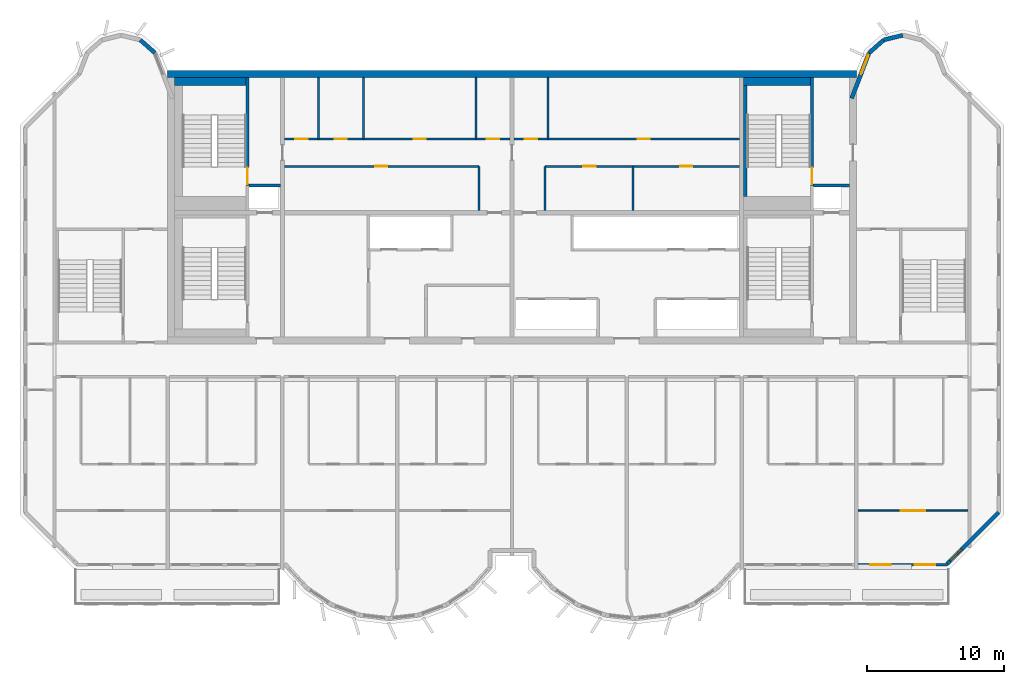
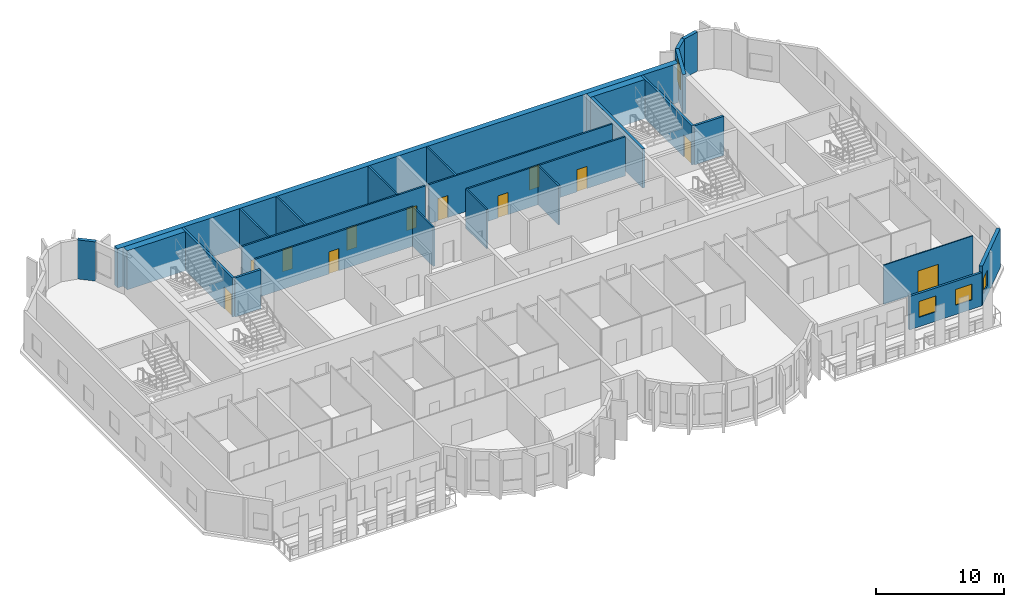
# One storey, part 7 of 12: 26 walls, 12 doors, 4 windows, 16 openings.
"""IFC4 building model written with IfcOpenShell, lengths in metres."""

from ifc_helpers import new_model, si_unit, direction, frame, frame_2d, origin, place, context, subcontext, project, spatial, rectangle, extrude, source, transform, mapped, material, layer, layer_set, type_object, element, fill, save


model = new_model("IFC4")

# Units and contexts
model_context = context("Model", 3, precision=1e-05, world=origin(), true_north=direction((0.0, 1.0)))
body_context = subcontext(model_context, "Body", "Model", "MODEL_VIEW")
ifc_project = project(units=[si_unit("LENGTHUNIT", "METRE"), si_unit("AREAUNIT", "SQUARE_METRE"), si_unit("VOLUMEUNIT", "CUBIC_METRE"), si_unit("PLANEANGLEUNIT", "RADIAN"), si_unit("MASSUNIT", "GRAM", prefix="KILO")], contexts=[model_context])

# Site, building, storey
site_placement = place(None, origin())
site = spatial("IfcSite", under=ifc_project, at=site_placement, CompositionType="ELEMENT")
building_placement = place(site_placement, origin())
building = spatial("IfcBuilding", under=site, at=building_placement, Name="Vanashikhar Sky Hotel", CompositionType="ELEMENT")
storey_placement = place(building_placement, frame((0.0, 0.0, 281.699951171875)))
storey = spatial("IfcBuildingStorey", under=building, at=storey_placement, Name="L67", CompositionType="ELEMENT", Elevation=281.699951171875)

# Wall
ifc_material_1 = material(Name="Concrete M50", Category="concrete")
ifc_layer_1 = layer(ifc_material_1, 0.5)
ifc_layer_set_1 = layer_set([ifc_layer_1], Name="RC core shell wall 500 Concrete M50")
wall_type_1 = type_object("IfcWallType", Name="RC core shell wall 500 Concrete M50", PredefinedType="SHEAR", material=ifc_layer_set_1)
shared_shape_1 = source(origin(), body_context, "Body", "SweptSolid", [
    extrude(rectangle(XDim=50.400146484375, YDim=0.5, at=frame_2d((25.2001953125, 0.0))), origin(), (0.0, 0.0, 1.0), 3.719970703125),
])
wall_1_placement = place(storey_placement, frame((25.199951171875, 41.75, 0.0), z_axis=(0.0, 0.0, 1.0), x_axis=(1.0, 0.0, 0.0)))
element("IfcWall", 1, at=wall_1_placement, inside=storey, type_object=wall_type_1, Name="KW-L67-KN", PredefinedType="SHEAR", context=body_context, shape_type="MappedRepresentation", body=[
    mapped(shared_shape_1, transform((0.0, 0.0, 0.0), scale=1.0)),
])

# Wall, openings, windows
ifc_layer_2 = layer(ifc_material_1, 0.199951171875)
ifc_layer_set_2 = layer_set([ifc_layer_2], Name="Front window wall 200")
wall_type_2 = type_object("IfcWallType", Name="Front window wall 200", PredefinedType="SOLIDWALL", material=ifc_layer_set_2)
shared_shape_2 = source(origin(), body_context, "Body", "SweptSolid", [
    extrude(rectangle(XDim=6.52978515625, YDim=0.199951171875, at=frame_2d((3.264892578125, 0.0))), origin(), (0.0, 0.0, 1.0), 3.170166015625),
])
wall_2_placement = place(storey_placement, frame((75.72509765625, 5.85009765625, 0.0), z_axis=(0.0, 0.0, 1.0), x_axis=(1.0, 0.0, 0.0)))
wall_2 = element("IfcWall", 2, at=wall_2_placement, inside=storey, type_object=wall_type_2, Name="Front window wall", PredefinedType="SOLIDWALL", context=body_context, shape_type="MappedRepresentation", body=[
    mapped(shared_shape_2, transform((0.0, 0.0, 0.0), scale=1.0)),
])
shared_shape_3 = source(origin(), body_context, "Body", "SweptSolid", [
    extrude(rectangle(XDim=1.5, YDim=1.5, at=frame_2d((0.75, 0.75))), frame((0.0, 0.10986328125, 0.0), z_axis=(0.0, -1.0, 0.0), x_axis=(1.0, 0.0, 0.0)), (0.0, 0.0, 1.0), 0.219970703125),
])
opening_1_placement = place(wall_2_placement, frame((0.882568359375, 0.0, 0.89990234375)))
opening_1 = element("IfcOpeningElement", 3, at=opening_1_placement, cuts=wall_2, Name="Opening WN-1", PredefinedType="OPENING", context=body_context, shape_type="MappedRepresentation", body=[
    mapped(shared_shape_3, transform((0.0, 0.0, 0.0), scale=1.0)),
])
opening_2_placement = place(wall_2_placement, frame((4.1474609375, 0.0, 0.89990234375)))
opening_2 = element("IfcOpeningElement", 4, at=opening_2_placement, cuts=wall_2, Name="Opening WN-1", PredefinedType="OPENING", context=body_context, shape_type="MappedRepresentation", body=[
    mapped(shared_shape_3, transform((0.0, 0.0, 0.0), scale=1.0)),
])
ifc_material_2 = material(Name="Glass", Category="glass")
window_type_1 = type_object("IfcWindowType", Name="Window 1500 x 1500", PartitioningType="SINGLE_PANEL", PredefinedType="WINDOW", material=ifc_material_2)
shared_shape_4 = source(origin(), body_context, "Body", "SweptSolid", [
    extrude(rectangle(XDim=1.5, YDim=1.5, at=frame_2d((0.75, 0.75))), frame((0.0, 0.030029296875, 0.0), z_axis=(0.0, -1.0, 0.0), x_axis=(1.0, 0.0, 0.0)), (0.0, 0.0, 1.0), 0.06005859375),
])
window_1_placement = place(opening_1_placement, origin())
window_1 = element("IfcWindow", 5, at=window_1_placement, inside=storey, type_object=window_type_1, Name="Window WN-1", OverallHeight=1.5, OverallWidth=1.5, PartitioningType="SINGLE_PANEL", PredefinedType="WINDOW", context=body_context, shape_type="MappedRepresentation", body=[
    mapped(shared_shape_4, transform((0.0, 0.0, 0.0), scale=1.0)),
])
fill(opening_1, window_1)
window_2_placement = place(opening_2_placement, origin())
window_2 = element("IfcWindow", 6, at=window_2_placement, inside=storey, type_object=window_type_1, Name="Window WN-1", OverallHeight=1.5, OverallWidth=1.5, PartitioningType="SINGLE_PANEL", PredefinedType="WINDOW", context=body_context, shape_type="MappedRepresentation", body=[
    mapped(shared_shape_4, transform((0.0, 0.0, 0.0), scale=1.0)),
])
fill(opening_2, window_2)

# Wall, opening, window
ifc_layer_3 = layer(ifc_material_1, 0.300048828125)
ifc_layer_set_3 = layer_set([ifc_layer_3], Name="Lobe wall 300")
wall_type_3 = type_object("IfcWallType", Name="Lobe wall 300", PredefinedType="SOLIDWALL", material=ifc_layer_set_3)
shared_shape_5 = source(origin(), body_context, "Body", "SweptSolid", [
    extrude(rectangle(XDim=5.32568359375, YDim=0.300048828125, at=frame_2d((2.662841796875, 0.0))), origin(), (0.0, 0.0, 1.0), 3.719970703125),
])
wall_3_placement = place(storey_placement, frame((82.234375, 5.89990234375, 0.0), z_axis=(0.0, 0.0, 1.0), x_axis=(0.707083859269, 0.707129702361, 0.0)))
wall_3 = element("IfcWall", 7, at=wall_3_placement, inside=storey, type_object=wall_type_3, Name="Corner wall", PredefinedType="SOLIDWALL", context=body_context, shape_type="MappedRepresentation", body=[
    mapped(shared_shape_5, transform((0.0, 0.0, 0.0), scale=1.0)),
])
shared_shape_6 = source(origin(), body_context, "Body", "SweptSolid", [
    extrude(rectangle(XDim=1.199951171875, YDim=1.5, at=frame_2d((0.60009765625, 0.75))), frame((0.0, 0.16015625, 0.0), z_axis=(0.0, -1.0, 0.0), x_axis=(1.0, 0.0, 0.0)), (0.0, 0.0, 1.0), 0.320068359375),
])
opening_3_placement = place(wall_3_placement, frame((0.31005859375, 0.0, 0.89990234375)))
opening_3 = element("IfcOpeningElement", 8, at=opening_3_placement, cuts=wall_3, Name="Opening WN-3", PredefinedType="OPENING", context=body_context, shape_type="MappedRepresentation", body=[
    mapped(shared_shape_6, transform((0.0, 0.0, 0.0), scale=1.0)),
])
window_type_2 = type_object("IfcWindowType", Name="Corridor end window 1200 x 1500", PartitioningType="SINGLE_PANEL", PredefinedType="WINDOW", material=ifc_material_2)
shared_shape_7 = source(origin(), body_context, "Body", "SweptSolid", [
    extrude(rectangle(XDim=1.199951171875, YDim=1.5, at=frame_2d((0.60009765625, 0.75))), frame((0.0, 0.030029296875, 0.0), z_axis=(0.0, -1.0, 0.0), x_axis=(1.0, 0.0, 0.0)), (0.0, 0.0, 1.0), 0.06005859375),
])
window_3_placement = place(opening_3_placement, origin())
window_3 = element("IfcWindow", 9, at=window_3_placement, inside=storey, type_object=window_type_2, Name="Window WN-3", OverallHeight=1.5, OverallWidth=1.199951171875, PartitioningType="SINGLE_PANEL", PredefinedType="WINDOW", context=body_context, shape_type="MappedRepresentation", body=[
    mapped(shared_shape_7, transform((0.0, 0.0, 0.0), scale=1.0)),
])
fill(opening_3, window_3)

# Walls
shared_shape_8 = source(origin(), body_context, "Body", "SweptSolid", [
    extrude(rectangle(XDim=1.43994140625, YDim=0.300048828125, at=frame_2d((0.719970703125, 0.0))), origin(), (0.0, 0.0, 1.0), 3.719970703125),
])
wall_4_placement = place(storey_placement, frame((77.602783203125, 44.2451171875, 0.0), z_axis=(0.0, 0.0, 1.0), x_axis=(-0.74957555648, -0.661918790432, 0.0)))
element("IfcWall", 10, at=wall_4_placement, inside=storey, type_object=wall_type_3, Name="Lobe wall", PredefinedType="SOLIDWALL", context=body_context, shape_type="MappedRepresentation", body=[
    mapped(shared_shape_8, transform((0.0, 0.0, 0.0), scale=1.0)),
])
shared_shape_9 = source(origin(), body_context, "Body", "SweptSolid", [
    extrude(rectangle(XDim=1.438720703125, YDim=0.300048828125, at=frame_2d((0.71923828125, 0.0))), origin(), (0.0, 0.0, 1.0), 3.719970703125),
])
wall_5_placement = place(storey_placement, frame((79.0, 44.588134765625, 0.0), z_axis=(0.0, 0.0, 1.0), x_axis=(-0.971161932466, -0.238420848351, 0.0)))
element("IfcWall", 11, at=wall_5_placement, inside=storey, type_object=wall_type_3, Name="Lobe wall", PredefinedType="SOLIDWALL", context=body_context, shape_type="MappedRepresentation", body=[
    mapped(shared_shape_9, transform((0.0, 0.0, 0.0), scale=1.0)),
])

# Wall, opening, window
shared_shape_10 = source(origin(), body_context, "Body", "SweptSolid", [
    extrude(rectangle(XDim=3.55908203125, YDim=0.300048828125, at=frame_2d((1.779541015625, 0.0))), origin(), (0.0, 0.0, 1.0), 3.719970703125),
])
wall_6_placement = place(storey_placement, frame((76.5234375, 43.2919921875, 0.0), z_axis=(0.0, 0.0, 1.0), x_axis=(-0.35779745313, -0.933799219604, 0.0)))
wall_6 = element("IfcWall", 12, at=wall_6_placement, inside=storey, type_object=wall_type_3, Name="Lobe wall", PredefinedType="SOLIDWALL", context=body_context, shape_type="MappedRepresentation", body=[
    mapped(shared_shape_10, transform((0.0, 0.0, 0.0), scale=1.0)),
])
shared_shape_11 = source(origin(), body_context, "Body", "SweptSolid", [
    extrude(rectangle(XDim=1.5, YDim=2.0, at=frame_2d((0.75, 1.0))), frame((0.0, 0.16015625, 0.0), z_axis=(0.0, -1.0, 0.0), x_axis=(1.0, 0.0, 0.0)), (0.0, 0.0, 1.0), 0.320068359375),
])
opening_4_placement = place(wall_6_placement, frame((0.156005859375, 0.0, 0.89990234375)))
opening_4 = element("IfcOpeningElement", 13, at=opening_4_placement, cuts=wall_6, Name="Opening WN-2", PredefinedType="OPENING", context=body_context, shape_type="MappedRepresentation", body=[
    mapped(shared_shape_11, transform((0.0, 0.0, 0.0), scale=1.0)),
])
window_type_3 = type_object("IfcWindowType", Name="Lobe window 1500 x 2000", PartitioningType="SINGLE_PANEL", PredefinedType="WINDOW", material=ifc_material_2)
shared_shape_12 = source(origin(), body_context, "Body", "SweptSolid", [
    extrude(rectangle(XDim=1.5, YDim=2.0, at=frame_2d((0.75, 1.0))), frame((0.0, 0.030029296875, 0.0), z_axis=(0.0, -1.0, 0.0), x_axis=(1.0, 0.0, 0.0)), (0.0, 0.0, 1.0), 0.06005859375),
])
window_4_placement = place(opening_4_placement, origin())
window_4 = element("IfcWindow", 14, at=window_4_placement, inside=storey, type_object=window_type_3, Name="Window WN-2", OverallHeight=2.0, OverallWidth=1.5, PartitioningType="SINGLE_PANEL", PredefinedType="WINDOW", context=body_context, shape_type="MappedRepresentation", body=[
    mapped(shared_shape_12, transform((0.0, 0.0, 0.0), scale=1.0)),
])
fill(opening_4, window_4)

# Walls
shared_shape_13 = source(origin(), body_context, "Body", "SweptSolid", [
    extrude(rectangle(XDim=1.440185546875, YDim=0.300048828125, at=frame_2d((0.72021484375, 0.0))), origin(), (0.0, 0.0, 1.0), 3.719970703125),
])
wall_7_placement = place(storey_placement, frame((24.276611328125, 43.2919921875, 0.0), z_axis=(0.0, 0.0, 1.0), x_axis=(-0.749649827867, 0.661834673902, 0.0)))
element("IfcWall", 15, at=wall_7_placement, inside=storey, type_object=wall_type_3, Name="Lobe wall", PredefinedType="SOLIDWALL", context=body_context, shape_type="MappedRepresentation", body=[
    mapped(shared_shape_13, transform((0.0, 0.0, 0.0), scale=1.0)),
])
ifc_material_3 = material(Name="Gypsum board partition")
ifc_layer_4 = layer(ifc_material_3, 0.14990234375)
ifc_layer_set_4 = layer_set([ifc_layer_4], Name="Service partition 150")
wall_type_4 = type_object("IfcWallType", Name="Service partition 150", PredefinedType="PARTITIONING", material=ifc_layer_set_4)
shared_shape_14 = source(origin(), body_context, "Body", "SweptSolid", [
    extrude(rectangle(XDim=3.25, YDim=0.14990234375, at=frame_2d((1.625, 0.0))), origin(), (0.0, 0.0, 1.0), 3.719970703125),
])
for number, where, z_axis, x_axis, name in (
    (16, (48.0, 31.75, 0.0), (0.0, 0.0, 1.0), (0.0, 1.0, 0.0), "Service partition 150"),
    (17, (52.800048828125, 31.75, 0.0), (0.0, 0.0, 1.0), (0.0, 1.0, 0.0), "Service partition 150"),
    (18, (59.25390625, 31.75, 0.0), (0.0, 0.0, 1.0), (0.0, 1.0, 0.0), "Service partition 150"),
):
    element("IfcWall", number, at=place(storey_placement, frame(where, z_axis=z_axis, x_axis=x_axis)), inside=storey, type_object=wall_type_4, Name=name, PredefinedType="PARTITIONING", context=body_context, shape_type="MappedRepresentation", body=[
        mapped(shared_shape_14, transform((0.0, 0.0, 0.0), scale=1.0)),
    ])

# Wall, opening, door
shared_shape_15 = source(origin(), body_context, "Body", "SweptSolid", [
    extrude(rectangle(XDim=14.25, YDim=0.14990234375, at=frame_2d((7.125, 0.0))), origin(), (0.0, 0.0, 1.0), 3.719970703125),
])
wall_8_placement = place(storey_placement, frame((33.75, 35.0, 0.0), z_axis=(0.0, 0.0, 1.0), x_axis=(1.0, 0.0, 0.0)))
wall_8 = element("IfcWall", 19, at=wall_8_placement, inside=storey, type_object=wall_type_4, Name="Service partition 150", PredefinedType="PARTITIONING", context=body_context, shape_type="MappedRepresentation", body=[
    mapped(shared_shape_15, transform((0.0, 0.0, 0.0), scale=1.0)),
])
shared_shape_16 = source(origin(), body_context, "Body", "SweptSolid", [
    extrude(rectangle(XDim=0.89990234375, YDim=2.10009765625, at=frame_2d((0.449951171875, 1.050048828125))), frame((0.0, 0.0849609375, 0.0), z_axis=(0.0, -1.0, 0.0), x_axis=(1.0, 0.0, 0.0)), (0.0, 0.0, 1.0), 0.169921875),
])
opening_5_placement = place(wall_8_placement, frame((6.636962890625, 0.0, 0.0)))
opening_5 = element("IfcOpeningElement", 20, at=opening_5_placement, cuts=wall_8, Name="Opening DC-4-A", PredefinedType="OPENING", context=body_context, shape_type="MappedRepresentation", body=[
    mapped(shared_shape_16, transform((0.0, 0.0, 0.0), scale=1.0)),
])
ifc_material_4 = material(Name="Steel", Category="steel")
door_type_1 = type_object("IfcDoorType", Name="Service door 900 FD60", OperationType="NOTDEFINED", PredefinedType="DOOR", material=ifc_material_4)
shared_shape_17 = source(origin(), body_context, "Body", "SweptSolid", [
    extrude(rectangle(XDim=0.89990234375, YDim=2.10009765625, at=frame_2d((0.449951171875, 1.050048828125))), frame((0.0, 0.02490234375, 0.0), z_axis=(0.0, -1.0, 0.0), x_axis=(1.0, 0.0, 0.0)), (0.0, 0.0, 1.0), 0.050048828125),
])
door_1_placement = place(opening_5_placement, origin())
door_1 = element("IfcDoor", 21, at=door_1_placement, inside=storey, type_object=door_type_1, Name="Service door 900 FD60", OperationType="SINGLE_SWING_LEFT", OverallHeight=2.10009765625, OverallWidth=0.89990234375, PredefinedType="DOOR", context=body_context, shape_type="MappedRepresentation", body=[
    mapped(shared_shape_17, transform((0.0, 0.0, 0.0), scale=1.0)),
])
fill(opening_5, door_1)

# Wall, openings, doors
wall_9_placement = place(storey_placement, frame((67.050048828125, 35.0, 0.0), z_axis=(0.0, 0.0, 1.0), x_axis=(-1.0, 0.0, 0.0)))
wall_9 = element("IfcWall", 22, at=wall_9_placement, inside=storey, type_object=wall_type_4, Name="Service partition 150", PredefinedType="PARTITIONING", context=body_context, shape_type="MappedRepresentation", body=[
    mapped(shared_shape_15, transform((0.0, 0.0, 0.0), scale=1.0)),
])
opening_6_placement = place(wall_9_placement, frame((3.447998046875, 0.0, 0.0)))
opening_6 = element("IfcOpeningElement", 23, at=opening_6_placement, cuts=wall_9, Name="Opening DC-4-A", PredefinedType="OPENING", context=body_context, shape_type="MappedRepresentation", body=[
    mapped(shared_shape_16, transform((0.0, 0.0, 0.0), scale=1.0)),
])
opening_7_placement = place(wall_9_placement, frame((10.535888671875, 0.0, 0.0)))
opening_7 = element("IfcOpeningElement", 24, at=opening_7_placement, cuts=wall_9, Name="Opening DC-4-A", PredefinedType="OPENING", context=body_context, shape_type="MappedRepresentation", body=[
    mapped(shared_shape_16, transform((0.0, 0.0, 0.0), scale=1.0)),
])
door_2_placement = place(opening_6_placement, origin())
door_2 = element("IfcDoor", 25, at=door_2_placement, inside=storey, type_object=door_type_1, Name="Service door 900 FD60", OperationType="SINGLE_SWING_RIGHT", OverallHeight=2.10009765625, OverallWidth=0.89990234375, PredefinedType="DOOR", context=body_context, shape_type="MappedRepresentation", body=[
    mapped(shared_shape_17, transform((0.0, 0.0, 0.0), scale=1.0)),
])
fill(opening_6, door_2)
door_3_placement = place(opening_7_placement, origin())
door_3 = element("IfcDoor", 26, at=door_3_placement, inside=storey, type_object=door_type_1, Name="Service door 900 FD60", OperationType="SINGLE_SWING_RIGHT", OverallHeight=2.10009765625, OverallWidth=0.89990234375, PredefinedType="DOOR", context=body_context, shape_type="MappedRepresentation", body=[
    mapped(shared_shape_17, transform((0.0, 0.0, 0.0), scale=1.0)),
])
fill(opening_7, door_3)

shared_shape_18 = source(origin(), body_context, "Body", "SweptSolid", [
    extrude(rectangle(XDim=16.5, YDim=0.14990234375, at=frame_2d((8.25, 0.0))), origin(), (0.0, 0.0, 1.0), 3.719970703125),
])
wall_10_placement = place(storey_placement, frame((33.75, 37.0, 0.0), z_axis=(0.0, 0.0, 1.0), x_axis=(1.0, 0.0, 0.0)))
wall_10 = element("IfcWall", 27, at=wall_10_placement, inside=storey, type_object=wall_type_4, Name="Service partition 150", PredefinedType="PARTITIONING", context=body_context, shape_type="MappedRepresentation", body=[
    mapped(shared_shape_18, transform((0.0, 0.0, 0.0), scale=1.0)),
])
opening_8_placement = place(wall_10_placement, frame((0.787109375, 0.0, 0.0)))
opening_8 = element("IfcOpeningElement", 28, at=opening_8_placement, cuts=wall_10, Name="Opening DC-4-A", PredefinedType="OPENING", context=body_context, shape_type="MappedRepresentation", body=[
    mapped(shared_shape_16, transform((0.0, 0.0, 0.0), scale=1.0)),
])
opening_9_placement = place(wall_10_placement, frame((3.675048828125, 0.0, 0.0)))
opening_9 = element("IfcOpeningElement", 29, at=opening_9_placement, cuts=wall_10, Name="Opening DC-4-A", PredefinedType="OPENING", context=body_context, shape_type="MappedRepresentation", body=[
    mapped(shared_shape_16, transform((0.0, 0.0, 0.0), scale=1.0)),
])
opening_10_placement = place(wall_10_placement, frame((9.449951171875, 0.0, 0.0)))
opening_10 = element("IfcOpeningElement", 30, at=opening_10_placement, cuts=wall_10, Name="Opening DC-4-A", PredefinedType="OPENING", context=body_context, shape_type="MappedRepresentation", body=[
    mapped(shared_shape_16, transform((0.0, 0.0, 0.0), scale=1.0)),
])
opening_11_placement = place(wall_10_placement, frame((14.81298828125, 0.0, 0.0)))
opening_11 = element("IfcOpeningElement", 31, at=opening_11_placement, cuts=wall_10, Name="Opening DC-4-A", PredefinedType="OPENING", context=body_context, shape_type="MappedRepresentation", body=[
    mapped(shared_shape_16, transform((0.0, 0.0, 0.0), scale=1.0)),
])
door_4_placement = place(opening_8_placement, origin())
door_4 = element("IfcDoor", 32, at=door_4_placement, inside=storey, type_object=door_type_1, Name="Service door 900 FD60", OperationType="SINGLE_SWING_RIGHT", OverallHeight=2.10009765625, OverallWidth=0.89990234375, PredefinedType="DOOR", context=body_context, shape_type="MappedRepresentation", body=[
    mapped(shared_shape_17, transform((0.0, 0.0, 0.0), scale=1.0)),
])
fill(opening_8, door_4)
door_5_placement = place(opening_9_placement, origin())
door_5 = element("IfcDoor", 33, at=door_5_placement, inside=storey, type_object=door_type_1, Name="Service door 900 FD60", OperationType="SINGLE_SWING_RIGHT", OverallHeight=2.10009765625, OverallWidth=0.89990234375, PredefinedType="DOOR", context=body_context, shape_type="MappedRepresentation", body=[
    mapped(shared_shape_17, transform((0.0, 0.0, 0.0), scale=1.0)),
])
fill(opening_9, door_5)
door_6_placement = place(opening_10_placement, origin())
door_6 = element("IfcDoor", 34, at=door_6_placement, inside=storey, type_object=door_type_1, Name="Service door 900 FD60", OperationType="SINGLE_SWING_RIGHT", OverallHeight=2.10009765625, OverallWidth=0.89990234375, PredefinedType="DOOR", context=body_context, shape_type="MappedRepresentation", body=[
    mapped(shared_shape_17, transform((0.0, 0.0, 0.0), scale=1.0)),
])
fill(opening_10, door_6)
door_7_placement = place(opening_11_placement, origin())
door_7 = element("IfcDoor", 35, at=door_7_placement, inside=storey, type_object=door_type_1, Name="Service door 900 FD60", OperationType="SINGLE_SWING_LEFT", OverallHeight=2.10009765625, OverallWidth=0.89990234375, PredefinedType="DOOR", context=body_context, shape_type="MappedRepresentation", body=[
    mapped(shared_shape_17, transform((0.0, 0.0, 0.0), scale=1.0)),
])
fill(opening_11, door_7)

wall_11_placement = place(storey_placement, frame((67.050048828125, 37.0, 0.0), z_axis=(0.0, 0.0, 1.0), x_axis=(-1.0, 0.0, 0.0)))
wall_11 = element("IfcWall", 36, at=wall_11_placement, inside=storey, type_object=wall_type_4, Name="Service partition 150", PredefinedType="PARTITIONING", context=body_context, shape_type="MappedRepresentation", body=[
    mapped(shared_shape_18, transform((0.0, 0.0, 0.0), scale=1.0)),
])
opening_12_placement = place(wall_11_placement, frame((6.56298828125, 0.0, 0.0)))
opening_12 = element("IfcOpeningElement", 37, at=opening_12_placement, cuts=wall_11, Name="Opening DC-4-A", PredefinedType="OPENING", context=body_context, shape_type="MappedRepresentation", body=[
    mapped(shared_shape_16, transform((0.0, 0.0, 0.0), scale=1.0)),
])
opening_13_placement = place(wall_11_placement, frame((14.81298828125, 0.0, 0.0)))
opening_13 = element("IfcOpeningElement", 38, at=opening_13_placement, cuts=wall_11, Name="Opening DC-4-A", PredefinedType="OPENING", context=body_context, shape_type="MappedRepresentation", body=[
    mapped(shared_shape_16, transform((0.0, 0.0, 0.0), scale=1.0)),
])
door_8_placement = place(opening_12_placement, origin())
door_8 = element("IfcDoor", 39, at=door_8_placement, inside=storey, type_object=door_type_1, Name="Service door 900 FD60", OperationType="SINGLE_SWING_RIGHT", OverallHeight=2.10009765625, OverallWidth=0.89990234375, PredefinedType="DOOR", context=body_context, shape_type="MappedRepresentation", body=[
    mapped(shared_shape_17, transform((0.0, 0.0, 0.0), scale=1.0)),
])
fill(opening_12, door_8)
door_9_placement = place(opening_13_placement, origin())
door_9 = element("IfcDoor", 40, at=door_9_placement, inside=storey, type_object=door_type_1, Name="Service door 900 FD60", OperationType="SINGLE_SWING_LEFT", OverallHeight=2.10009765625, OverallWidth=0.89990234375, PredefinedType="DOOR", context=body_context, shape_type="MappedRepresentation", body=[
    mapped(shared_shape_17, transform((0.0, 0.0, 0.0), scale=1.0)),
])
fill(opening_13, door_9)

# Walls
shared_shape_19 = source(origin(), body_context, "Body", "SweptSolid", [
    extrude(rectangle(XDim=4.5, YDim=0.14990234375, at=frame_2d((2.25, 0.0))), origin(), (0.0, 0.0, 1.0), 3.719970703125),
])
for number, where, z_axis, x_axis, name in (
    (41, (36.22509765625, 37.0, 0.0), (0.0, 0.0, 1.0), (0.0, 1.0, 0.0), "Service partition 150"),
    (42, (39.52490234375, 37.0, 0.0), (0.0, 0.0, 1.0), (0.0, 1.0, 0.0), "Service partition 150"),
    (43, (47.77490234375, 37.0, 0.0), (0.0, 0.0, 1.0), (0.0, 1.0, 0.0), "Service partition 150"),
    (44, (53.02490234375, 37.0, 0.0), (0.0, 0.0, 1.0), (0.0, 1.0, 0.0), "Service partition 150"),
):
    element("IfcWall", number, at=place(storey_placement, frame(where, z_axis=z_axis, x_axis=x_axis)), inside=storey, type_object=wall_type_4, Name=name, PredefinedType="PARTITIONING", context=body_context, shape_type="MappedRepresentation", body=[
        mapped(shared_shape_19, transform((0.0, 0.0, 0.0), scale=1.0)),
    ])
ifc_material_5 = material(Name="Concrete M40", Category="concrete")
ifc_layer_5 = layer(ifc_material_5, 0.199951171875)
ifc_layer_set_5 = layer_set([ifc_layer_5], Name="Shaft wall 200")
wall_type_5 = type_object("IfcWallType", Name="Shaft wall 200", PredefinedType="SOLIDWALL", material=ifc_layer_set_5)
shared_shape_20 = source(origin(), body_context, "Body", "SweptSolid", [
    extrude(rectangle(XDim=2.300048828125, YDim=0.199951171875, at=frame_2d((1.14990234375, 0.0))), origin(), (0.0, 0.0, 1.0), 3.719970703125),
])
wall_12_placement = place(storey_placement, frame((31.14990234375, 33.60009765625, 0.0), z_axis=(0.0, 0.0, 1.0), x_axis=(1.0, 0.0, 0.0)))
element("IfcWall", 45, at=wall_12_placement, inside=storey, type_object=wall_type_5, Name="Shaft wall 200", PredefinedType="SOLIDWALL", context=body_context, shape_type="MappedRepresentation", body=[
    mapped(shared_shape_20, transform((0.0, 0.0, 0.0), scale=1.0)),
])

# Wall, opening, door
ifc_layer_6 = layer(ifc_material_1, 0.199951171875)
ifc_layer_set_6 = layer_set([ifc_layer_6], Name="Stair wall 200")
wall_type_6 = type_object("IfcWallType", Name="Stair wall 200", PredefinedType="SOLIDWALL", material=ifc_layer_set_6)
shared_shape_21 = source(origin(), body_context, "Body", "SweptSolid", [
    extrude(rectangle(XDim=7.89990234375, YDim=0.199951171875, at=frame_2d((3.949951171875, 0.0))), origin(), (0.0, 0.0, 1.0), 3.719970703125),
])
wall_13_placement = place(storey_placement, frame((31.050048828125, 33.60009765625, 0.0), z_axis=(0.0, 0.0, 1.0), x_axis=(0.0, 1.0, 0.0)))
wall_13 = element("IfcWall", 46, at=wall_13_placement, inside=storey, type_object=wall_type_6, Name="Stair wall 200", PredefinedType="SOLIDWALL", context=body_context, shape_type="MappedRepresentation", body=[
    mapped(shared_shape_21, transform((0.0, 0.0, 0.0), scale=1.0)),
])
shared_shape_22 = source(origin(), body_context, "Body", "SweptSolid", [
    extrude(rectangle(XDim=1.199951171875, YDim=2.10009765625, at=frame_2d((0.60009765625, 1.050048828125))), frame((0.0, 0.10986328125, 0.0), z_axis=(0.0, -1.0, 0.0), x_axis=(1.0, 0.0, 0.0)), (0.0, 0.0, 1.0), 0.219970703125),
])
opening_14_placement = place(wall_13_placement, frame((0.10009765625, 0.0, 0.0)))
opening_14 = element("IfcOpeningElement", 47, at=opening_14_placement, cuts=wall_13, Name="Opening DC-1", PredefinedType="OPENING", context=body_context, shape_type="MappedRepresentation", body=[
    mapped(shared_shape_22, transform((0.0, 0.0, 0.0), scale=1.0)),
])
door_type_2 = type_object("IfcDoorType", Name="Stair door 1200 FD120", OperationType="NOTDEFINED", PredefinedType="DOOR", material=ifc_material_4)
shared_shape_23 = source(origin(), body_context, "Body", "SweptSolid", [
    extrude(rectangle(XDim=1.199951171875, YDim=2.10009765625, at=frame_2d((0.60009765625, 1.050048828125))), frame((0.0, 0.02490234375, 0.0), z_axis=(0.0, -1.0, 0.0), x_axis=(1.0, 0.0, 0.0)), (0.0, 0.0, 1.0), 0.050048828125),
])
door_10_placement = place(opening_14_placement, origin())
door_10 = element("IfcDoor", 48, at=door_10_placement, inside=storey, type_object=door_type_2, Name="Stair door 1200 FD120", OperationType="SINGLE_SWING_RIGHT", OverallHeight=2.10009765625, OverallWidth=1.199951171875, PredefinedType="DOOR", context=body_context, shape_type="MappedRepresentation", body=[
    mapped(shared_shape_23, transform((0.0, 0.0, 0.0), scale=1.0)),
])
fill(opening_14, door_10)

wall_14_placement = place(storey_placement, frame((72.35009765625, 33.60009765625, 0.0), z_axis=(0.0, 0.0, 1.0), x_axis=(0.0, 1.0, 0.0)))
wall_14 = element("IfcWall", 49, at=wall_14_placement, inside=storey, type_object=wall_type_6, Name="Stair wall 200", PredefinedType="SOLIDWALL", context=body_context, shape_type="MappedRepresentation", body=[
    mapped(shared_shape_21, transform((0.0, 0.0, 0.0), scale=1.0)),
])
opening_15_placement = place(wall_14_placement, frame((0.10009765625, 0.0, 0.0)))
opening_15 = element("IfcOpeningElement", 50, at=opening_15_placement, cuts=wall_14, Name="Opening DC-1", PredefinedType="OPENING", context=body_context, shape_type="MappedRepresentation", body=[
    mapped(shared_shape_22, transform((0.0, 0.0, 0.0), scale=1.0)),
])
door_11_placement = place(opening_15_placement, origin())
door_11 = element("IfcDoor", 51, at=door_11_placement, inside=storey, type_object=door_type_2, Name="Stair door 1200 FD120", OperationType="SINGLE_SWING_RIGHT", OverallHeight=2.10009765625, OverallWidth=1.199951171875, PredefinedType="DOOR", context=body_context, shape_type="MappedRepresentation", body=[
    mapped(shared_shape_23, transform((0.0, 0.0, 0.0), scale=1.0)),
])
fill(opening_15, door_11)

# Walls
shared_shape_24 = source(origin(), body_context, "Body", "SweptSolid", [
    extrude(rectangle(XDim=2.650146484375, YDim=0.199951171875, at=frame_2d((1.3251953125, 0.0))), origin(), (0.0, 0.0, 1.0), 3.719970703125),
])
wall_15_placement = place(storey_placement, frame((72.449951171875, 33.60009765625, 0.0), z_axis=(0.0, 0.0, 1.0), x_axis=(1.0, 0.0, 0.0)))
element("IfcWall", 52, at=wall_15_placement, inside=storey, type_object=wall_type_5, Name="Shaft wall 200", PredefinedType="SOLIDWALL", context=body_context, shape_type="MappedRepresentation", body=[
    mapped(shared_shape_24, transform((0.0, 0.0, 0.0), scale=1.0)),
])
ifc_layer_7 = layer(ifc_material_1, 0.60009765625)
ifc_layer_set_7 = layer_set([ifc_layer_7], Name="Stair infill wall 600")
wall_type_7 = type_object("IfcWallType", Name="Stair infill wall 600", PredefinedType="SOLIDWALL", material=ifc_layer_set_7)
shared_shape_25 = source(origin(), body_context, "Body", "SweptSolid", [
    extrude(rectangle(XDim=5.25, YDim=0.60009765625, at=frame_2d((2.625, 0.0))), origin(), (0.0, 0.0, 1.0), 3.719970703125),
])
wall_16_placement = place(storey_placement, frame((25.699951171875, 41.199951171875, 0.0), z_axis=(0.0, 0.0, 1.0), x_axis=(1.0, 0.0, 0.0)))
element("IfcWall", 53, at=wall_16_placement, inside=storey, type_object=wall_type_7, Name="Stair infill wall 600", PredefinedType="SOLIDWALL", context=body_context, shape_type="MappedRepresentation", body=[
    mapped(shared_shape_25, transform((0.0, 0.0, 0.0), scale=1.0)),
])
shared_shape_26 = source(origin(), body_context, "Body", "SweptSolid", [
    extrude(rectangle(XDim=4.89990234375, YDim=0.60009765625, at=frame_2d((2.449951171875, 0.0))), origin(), (0.0, 0.0, 1.0), 3.719970703125),
])
wall_17_placement = place(storey_placement, frame((67.35009765625, 41.199951171875, 0.0), z_axis=(0.0, 0.0, 1.0), x_axis=(1.0, 0.0, 0.0)))
element("IfcWall", 54, at=wall_17_placement, inside=storey, type_object=wall_type_7, Name="Stair infill wall 600", PredefinedType="SOLIDWALL", context=body_context, shape_type="MappedRepresentation", body=[
    mapped(shared_shape_26, transform((0.0, 0.0, 0.0), scale=1.0)),
])
ifc_layer_8 = layer(ifc_material_1, 0.25)
ifc_layer_set_8 = layer_set([ifc_layer_8], Name="Stair infill wall 250")
wall_type_8 = type_object("IfcWallType", Name="Stair infill wall 250", PredefinedType="SOLIDWALL", material=ifc_layer_set_8)
shared_shape_27 = source(origin(), body_context, "Body", "SweptSolid", [
    extrude(rectangle(XDim=8.099853515625, YDim=0.25, at=frame_2d((4.0498046875, 0.0))), origin(), (0.0, 0.0, 1.0), 3.719970703125),
])
wall_18_placement = place(storey_placement, frame((67.47509765625, 32.800048828125, 0.0), z_axis=(0.0, 0.0, 1.0), x_axis=(0.0, 1.0, 0.0)))
element("IfcWall", 55, at=wall_18_placement, inside=storey, type_object=wall_type_8, Name="Stair infill wall 250", PredefinedType="SOLIDWALL", context=body_context, shape_type="MappedRepresentation", body=[
    mapped(shared_shape_27, transform((0.0, 0.0, 0.0), scale=1.0)),
])

# Wall, opening, door
ifc_material_6 = material(Name="Gypsum plasterboard partition")
ifc_layer_9 = layer(ifc_material_6, 0.10009765625)
ifc_layer_set_9 = layer_set([ifc_layer_9], Name="Wet room partition 100")
wall_type_9 = type_object("IfcWallType", Name="Wet room partition 100", PredefinedType="PARTITIONING", material=ifc_layer_set_9)
shared_shape_28 = source(origin(), body_context, "Body", "SweptSolid", [
    extrude(rectangle(XDim=8.02490234375, YDim=0.10009765625, at=frame_2d((4.012451171875, 0.0))), origin(), (0.0, 0.0, 1.0), 3.719970703125),
])
wall_19_placement = place(storey_placement, frame((75.72509765625, 9.802001953125, 0.0), z_axis=(0.0, 0.0, 1.0), x_axis=(1.0, 0.0, 0.0)))
wall_19 = element("IfcWall", 56, at=wall_19_placement, inside=storey, type_object=wall_type_9, Name="W-L67-PW044", PredefinedType="PARTITIONING", context=body_context, shape_type="MappedRepresentation", body=[
    mapped(shared_shape_28, transform((0.0, 0.0, 0.0), scale=1.0)),
])
shared_shape_29 = source(origin(), body_context, "Body", "SweptSolid", [
    extrude(rectangle(XDim=1.800048828125, YDim=2.10009765625, at=frame_2d((0.89990234375, 1.050048828125))), frame((0.0, 0.06005859375, 0.0), z_axis=(0.0, -1.0, 0.0), x_axis=(1.0, 0.0, 0.0)), (0.0, 0.0, 1.0), 0.1201171875),
])
opening_16_placement = place(wall_19_placement, frame((3.112060546875, 0.0, 0.0)))
opening_16 = element("IfcOpeningElement", 57, at=opening_16_placement, cuts=wall_19, Name="Opening D-08", PredefinedType="OPENING", context=body_context, shape_type="MappedRepresentation", body=[
    mapped(shared_shape_29, transform((0.0, 0.0, 0.0), scale=1.0)),
])
ifc_material_7 = material(Name="Timber door", Category="wood")
door_type_3 = type_object("IfcDoorType", Name="Double leaf door 1800", OperationType="NOTDEFINED", PredefinedType="DOOR", material=ifc_material_7)
shared_shape_30 = source(origin(), body_context, "Body", "SweptSolid", [
    extrude(rectangle(XDim=1.800048828125, YDim=2.10009765625, at=frame_2d((0.89990234375, 1.050048828125))), frame((0.0, 0.02490234375, 0.0), z_axis=(0.0, -1.0, 0.0), x_axis=(1.0, 0.0, 0.0)), (0.0, 0.0, 1.0), 0.050048828125),
])
door_12_placement = place(opening_16_placement, origin())
door_12 = element("IfcDoor", 58, at=door_12_placement, inside=storey, type_object=door_type_3, Name="D-L67-028", OperationType="DOUBLE_DOOR_SINGLE_SWING", OverallHeight=2.10009765625, OverallWidth=1.800048828125, PredefinedType="DOOR", context=body_context, shape_type="MappedRepresentation", body=[
    mapped(shared_shape_30, transform((0.0, 0.0, 0.0), scale=1.0)),
])
fill(opening_16, door_12)

save(model, "model.ifc")
